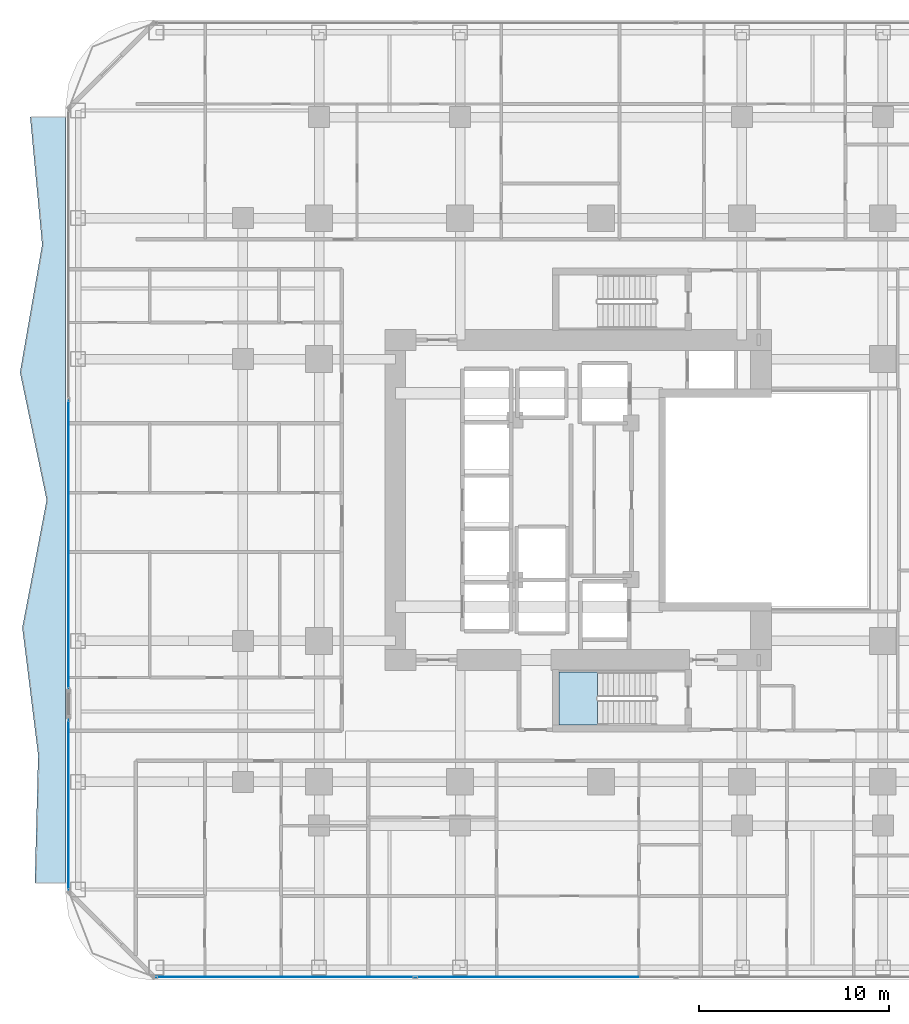
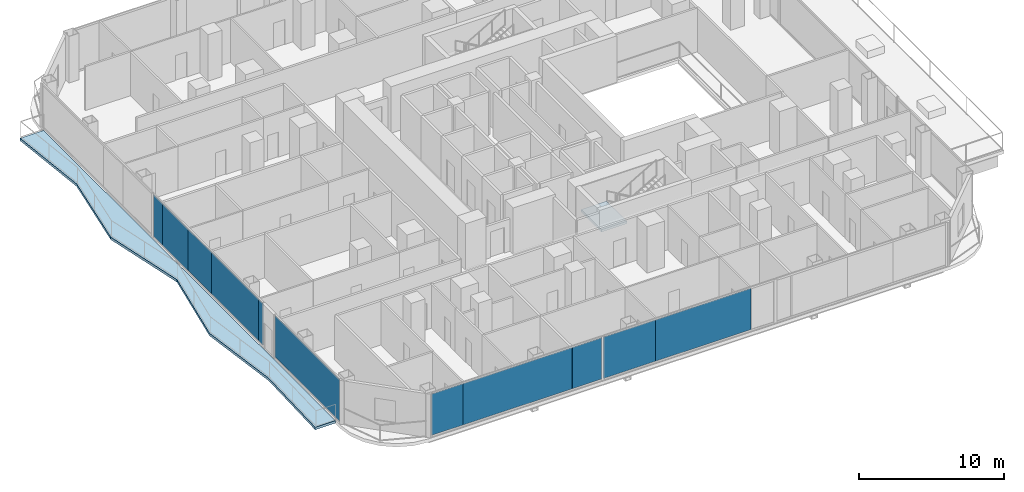
# One storey, part 18 of 29: 11 plates, 2 slabs, 4 elements without a shape of their own.
"""IFC4 building model written with IfcOpenShell, lengths in metres."""

from ifc_helpers import new_model, si_unit, direction, frame, origin, origin_2d, place, context, subcontext, project, spatial, polyline, rectangle, outline, extrude, material, layer, layer_set, type_object, element, aggregate, save


model = new_model("IFC4")

# Units and contexts
model_context = context("Model", 3, precision=1e-05, world=origin(), true_north=direction((0.0, 1.0)))
body_context = subcontext(model_context, "Body", "Model", "MODEL_VIEW")
ifc_project = project(units=[si_unit("LENGTHUNIT", "METRE"), si_unit("AREAUNIT", "SQUARE_METRE"), si_unit("VOLUMEUNIT", "CUBIC_METRE"), si_unit("PLANEANGLEUNIT", "RADIAN"), si_unit("MASSUNIT", "GRAM", prefix="KILO")], contexts=[model_context])

# Site, building, storey
site_placement = place(None, origin())
site = spatial("IfcSite", under=ifc_project, at=site_placement, CompositionType="ELEMENT")
building_placement = place(site_placement, origin())
building = spatial("IfcBuilding", under=site, at=building_placement, Name="Khorvyn Point Tower", CompositionType="ELEMENT")
storey_placement = place(building_placement, frame((0.0, 0.0, 54.0)))
storey = spatial("IfcBuildingStorey", under=building, at=storey_placement, Name="L14", CompositionType="ELEMENT", Elevation=54.0)

# Slab
ifc_material_1 = material(Name="Concrete C40/50", Category="concrete")
ifc_layer_1 = layer(ifc_material_1, 0.2099609375)
ifc_layer_set_1 = layer_set([ifc_layer_1], Name="Concrete C40/50 Rippling Balcony Slab 210")
slab_type_1 = type_object("IfcSlabType", Name="Concrete C40/50 Rippling Balcony Slab 210", PredefinedType="USERDEFINED", material=ifc_layer_set_1)
slab_1_placement = place(storey_placement, frame((0.0, 0.0, -0.2099609375)))
element("IfcSlab", 1, at=slab_1_placement, inside=storey, type_object=slab_type_1, Name="L14 West Sinusoidal Rippling Balcony", ObjectType="BALCONY", PredefinedType="USERDEFINED", context=body_context, shape_type="SweptSolid", body=[
    extrude(outline(polyline([(-28.10009765625, 20.10009765625), (-29.96826171875, 20.10009765625), (-29.339599609375, 13.39990234375), (-30.5009765625, 6.699951171875), (-29.10302734375, 0.0), (-30.380859375, -6.699951171875), (-29.548828125, -13.39990234375), (-29.722900390625, -20.10009765625), (-28.10009765625, -20.10009765625), (-28.10009765625, 20.10009765625)])), origin(), (0.0, 0.0, 1.0), 0.2099609375),
])

# Stair, slab
stair_type = type_object("IfcStairType", Name="Tower Concrete C40/50 Dogleg Exit Stair", PredefinedType="HALF_TURN_STAIR", material=ifc_material_1)
stair_placement = place(storey_placement, origin())
stair = element("IfcStair", 2, at=stair_placement, inside=storey, type_object=stair_type, Name="L14 Tower Smokeproof Exit Stair South", PredefinedType="HALF_TURN_STAIR")
ifc_layer_2 = layer(ifc_material_1, 0.199951171875)
ifc_layer_set_2 = layer_set([ifc_layer_2], Name="Concrete C40/50 Stair Landing Slab 200")
slab_type_2 = type_object("IfcSlabType", Name="Concrete C40/50 Stair Landing Slab 200", PredefinedType="LANDING", material=ifc_layer_set_2)
slab_2_placement = place(storey_placement, frame((0.0, 0.0, 1.75)))
slab_2 = element("IfcSlab", 3, at=slab_2_placement, type_object=slab_type_2, Name="ST-01 landing 1", PredefinedType="LANDING", context=body_context, shape_type="SweptSolid", body=[
    extrude(outline(polyline([(-0.179931640625, -9.02001953125), (-2.199951171875, -9.02001953125), (-2.199951171875, -11.820068359375), (-0.179931640625, -11.820068359375), (-0.179931640625, -9.02001953125)])), origin(), (0.0, 0.0, 1.0), 0.199951171875),
])
aggregate(stair, [slab_2])

# Curtain wall, plates
ifc_material_2 = material(Name="Anodised aluminium 6063-T6 and laminated Low-E glass", Category="aluminium")
ifc_layer_3 = layer(ifc_material_2, 0.18994140625)
ifc_layer_set_3 = layer_set([ifc_layer_3], Name="Stick-Built Finned Residential Curtain Wall CW-SYS-02")
curtain_wall_type = type_object("IfcCurtainWallType", Name="Stick-Built Finned Residential Curtain Wall CW-SYS-02", PredefinedType="NOTDEFINED", material=ifc_layer_set_3)
curtain_wall_1_placement = place(storey_placement, origin())
curtain_wall_1 = element("IfcCurtainWall", 4, at=curtain_wall_1_placement, inside=storey, type_object=curtain_wall_type, Name="Curtain Wall", PredefinedType="NOTDEFINED")
ifc_material_3 = material(Name="Laminated Low-E insulated glass", Category="glass")
ifc_layer_4 = layer(ifc_material_3, 0.028076171875)
ifc_layer_set_4 = layer_set([ifc_layer_4], Name="Tempered Low-E Vision Glazing Panel CW-GL28")
plate_type = type_object("IfcPlateType", Name="Tempered Low-E Vision Glazing Panel CW-GL28", PredefinedType="CURTAIN_PANEL", material=ifc_layer_set_4)
plate_1_placement = place(storey_placement, frame((-7.618408203125, -25.050048828125, 0.10009765625), z_axis=(0.0, 0.0, 1.0), x_axis=(-1.0, 0.0, 0.0)))
plate_1 = element("IfcPlate", 5, at=plate_1_placement, type_object=plate_type, Name="Panel", PredefinedType="CURTAIN_PANEL", context=body_context, shape_type="SweptSolid", body=[
    extrude(rectangle(XDim=4.155029296875, YDim=0.028076171875, at=origin_2d()), origin(), (0.0, 0.0, 1.0), 3.47998046875),
])
plate_2_placement = place(storey_placement, frame((-1.741455078125, -25.050048828125, 0.10009765625), z_axis=(0.0, 0.0, 1.0), x_axis=(-1.0, 0.0, 0.0)))
plate_2 = element("IfcPlate", 6, at=plate_2_placement, type_object=plate_type, Name="Panel", PredefinedType="CURTAIN_PANEL", context=body_context, shape_type="SweptSolid", body=[
    extrude(rectangle(XDim=7.5830078125, YDim=0.028076171875, at=origin_2d()), origin(), (0.0, 0.0, 1.0), 3.47998046875),
])
plate_3_placement = place(storey_placement, frame((-22.10009765625, -25.050048828125, 0.10009765625), z_axis=(0.0, 0.0, 1.0), x_axis=(-1.0, 0.0, 0.0)))
plate_3 = element("IfcPlate", 7, at=plate_3_placement, type_object=plate_type, Name="Panel", PredefinedType="CURTAIN_PANEL", context=body_context, shape_type="SweptSolid", body=[
    extrude(rectangle(XDim=2.491943359375, YDim=0.028076171875, at=origin_2d()), origin(), (0.0, 0.0, 1.0), 3.47998046875),
])
plate_4_placement = place(storey_placement, frame((-16.507568359375, -25.050048828125, 0.10009765625), z_axis=(0.0, 0.0, 1.0), x_axis=(-1.0, 0.0, 0.0)))
plate_4 = element("IfcPlate", 8, at=plate_4_placement, type_object=plate_type, Name="Panel", PredefinedType="CURTAIN_PANEL", context=body_context, shape_type="SweptSolid", body=[
    extrude(rectangle(XDim=8.677001953125, YDim=0.028076171875, at=origin_2d()), origin(), (0.0, 0.0, 1.0), 3.47998046875),
])
plate_5_placement = place(storey_placement, frame((-10.982421875, -25.050048828125, 0.10009765625), z_axis=(0.0, 0.0, 1.0), x_axis=(-1.0, 0.0, 0.0)))
plate_5 = element("IfcPlate", 9, at=plate_5_placement, type_object=plate_type, Name="Panel", PredefinedType="CURTAIN_PANEL", context=body_context, shape_type="SweptSolid", body=[
    extrude(rectangle(XDim=2.35693359375, YDim=0.028076171875, at=origin_2d()), origin(), (0.0, 0.0, 1.0), 3.47998046875),
])
aggregate(curtain_wall_1, [plate_1, plate_2, plate_3, plate_4, plate_5])

# Curtain wall, plate
curtain_wall_2_placement = place(storey_placement, origin())
curtain_wall_2 = element("IfcCurtainWall", 10, at=curtain_wall_2_placement, inside=storey, type_object=curtain_wall_type, Name="Curtain Wall", PredefinedType="NOTDEFINED")
plate_6_placement = place(storey_placement, frame((-27.949951171875, -15.9951171875, 0.10009765625), z_axis=(0.0, 0.0, 1.0), x_axis=(0.0, 1.0, 0.0)))
plate_6 = element("IfcPlate", 11, at=plate_6_placement, type_object=plate_type, Name="Panel", PredefinedType="CURTAIN_PANEL", context=body_context, shape_type="SweptSolid", body=[
    extrude(rectangle(XDim=8.909912109375, YDim=0.028076171875, at=origin_2d()), origin(), (0.0, 0.0, 1.0), 3.47998046875),
])
aggregate(curtain_wall_2, [plate_6])

# Curtain wall, plates
curtain_wall_3_placement = place(storey_placement, origin())
curtain_wall_3 = element("IfcCurtainWall", 12, at=curtain_wall_3_placement, inside=storey, type_object=curtain_wall_type, Name="Curtain Wall", PredefinedType="NOTDEFINED")
plate_7_placement = place(storey_placement, frame((-27.949951171875, -9.580078125, 0.10009765625), z_axis=(0.0, 0.0, 1.0), x_axis=(0.0, 1.0, 0.0)))
plate_7 = element("IfcPlate", 13, at=plate_7_placement, type_object=plate_type, Name="Panel", PredefinedType="CURTAIN_PANEL", context=body_context, shape_type="SweptSolid", body=[
    extrude(rectangle(XDim=0.632080078125, YDim=0.028076171875, at=origin_2d()), origin(), (0.0, 0.0, 1.0), 3.47998046875),
])
plate_8_placement = place(storey_placement, frame((-27.949951171875, -6.025390625, 0.10009765625), z_axis=(0.0, 0.0, 1.0), x_axis=(0.0, 1.0, 0.0)))
plate_8 = element("IfcPlate", 14, at=plate_8_placement, type_object=plate_type, Name="Panel", PredefinedType="CURTAIN_PANEL", context=body_context, shape_type="SweptSolid", body=[
    extrude(rectangle(XDim=6.4609375, YDim=0.028076171875, at=origin_2d()), origin(), (0.0, 0.0, 1.0), 3.47998046875),
])
plate_9_placement = place(storey_placement, frame((-27.949951171875, -1.173583984375, 0.10009765625), z_axis=(0.0, 0.0, 1.0), x_axis=(0.0, 1.0, 0.0)))
plate_9 = element("IfcPlate", 15, at=plate_9_placement, type_object=plate_type, Name="Panel", PredefinedType="CURTAIN_PANEL", context=body_context, shape_type="SweptSolid", body=[
    extrude(rectangle(XDim=3.22705078125, YDim=0.028076171875, at=origin_2d()), origin(), (0.0, 0.0, 1.0), 3.47998046875),
])
plate_10_placement = place(storey_placement, frame((-27.949951171875, 2.2119140625, 0.10009765625), z_axis=(0.0, 0.0, 1.0), x_axis=(0.0, 1.0, 0.0)))
plate_10 = element("IfcPlate", 16, at=plate_10_placement, type_object=plate_type, Name="Panel", PredefinedType="CURTAIN_PANEL", context=body_context, shape_type="SweptSolid", body=[
    extrude(rectangle(XDim=3.528076171875, YDim=0.028076171875, at=origin_2d()), origin(), (0.0, 0.0, 1.0), 3.47998046875),
])
plate_11_placement = place(storey_placement, frame((-27.949951171875, 4.6025390625, 0.10009765625), z_axis=(0.0, 0.0, 1.0), x_axis=(0.0, 1.0, 0.0)))
plate_11 = element("IfcPlate", 17, at=plate_11_placement, type_object=plate_type, Name="Panel", PredefinedType="CURTAIN_PANEL", context=body_context, shape_type="SweptSolid", body=[
    extrude(rectangle(XDim=1.237060546875, YDim=0.028076171875, at=origin_2d()), origin(), (0.0, 0.0, 1.0), 3.47998046875),
])
aggregate(curtain_wall_3, [plate_7, plate_8, plate_9, plate_10, plate_11])

save(model, "model.ifc")
